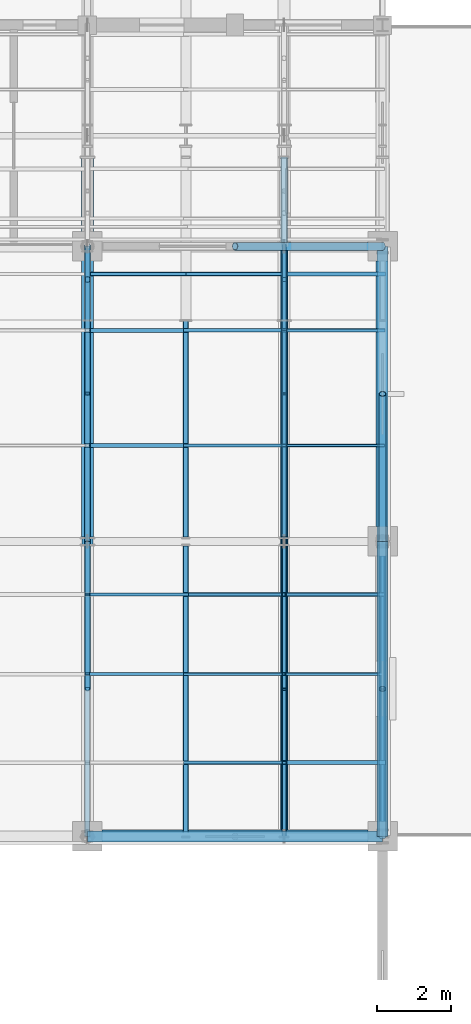
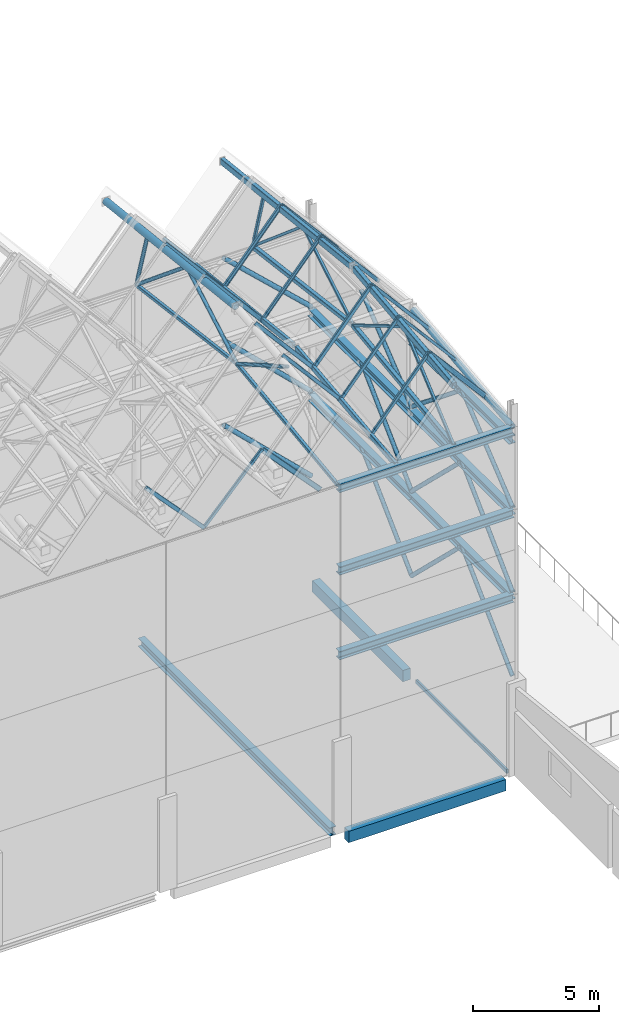
# One storey, part 15 of 48: 42 members, 18 beams.
"""IFC4 building model written with IfcOpenShell, lengths in metres."""

from ifc_helpers import new_model, si_unit, direction, frame, origin, origin_2d, place, context, subcontext, project, spatial, rectangle, hollow_rectangle, hollow_circle, i_section, extrude, material, material_profile, profile_set, type_object, element, save


model = new_model("IFC4")

# Units and contexts
model_context = context("Model", 3, precision=1e-05, world=origin(), true_north=direction((0.0, 1.0)))
body_context = subcontext(model_context, "Body", "Model", "MODEL_VIEW")
ifc_project = project(units=[si_unit("LENGTHUNIT", "METRE"), si_unit("AREAUNIT", "SQUARE_METRE"), si_unit("VOLUMEUNIT", "CUBIC_METRE"), si_unit("PLANEANGLEUNIT", "RADIAN"), si_unit("MASSUNIT", "GRAM", prefix="KILO")], contexts=[model_context])

# Site, building, storey
site_placement = place(None, origin())
site = spatial("IfcSite", under=ifc_project, at=site_placement, CompositionType="ELEMENT")
building_placement = place(site_placement, origin())
building = spatial("IfcBuilding", under=site, at=building_placement, Name="Luwemba Playhouse", CompositionType="ELEMENT")
storey_placement = place(building_placement, frame((0.0, 0.0, 13.800048828125)))
storey = spatial("IfcBuildingStorey", under=building, at=storey_placement, Name="L03", CompositionType="ELEMENT", Elevation=13.800048828125)

# Beams
ifc_material_1 = material(Name="Steel S355", Category="steel")
ifc_material_profile_1 = material_profile(ifc_material_1, hollow_rectangle(XDim=0.14990234375, YDim=0.25, WallThickness=0.010009765625, InnerFilletRadius=0.014892578125, OuterFilletRadius=0.02490234375, at=origin_2d()))
ifc_profile_set_1 = profile_set([ifc_material_profile_1], Name="Steel S355")
beam_type_1 = type_object("IfcBeamType", Name="BM-RTG1", PredefinedType="USERDEFINED", material=ifc_profile_set_1)
beam_1_placement = place(storey_placement, frame((38.666748046875, 68.0, 16.637939453125), z_axis=(0.0, 0.993767688729, 0.111470986529), x_axis=(-1.0, 0.0, 0.0)))
element("IfcBeam", 1, at=beam_1_placement, inside=storey, type_object=beam_type_1, Name="ROOF TRUSS valley girder 0075", ObjectType="ROOF TRUSS", PredefinedType="USERDEFINED", context=body_context, shape_type="SweptSolid", body=[
    extrude(hollow_rectangle(XDim=0.14990234375, YDim=0.25, WallThickness=0.010009765625, InnerFilletRadius=0.014892578125, OuterFilletRadius=0.02490234375, at=origin_2d()), origin(), (0.0, 0.0, 1.0), 7.939453125),
])
beam_2_placement = place(storey_placement, frame((38.666748046875, 76.110107421875, 17.52294921875), z_axis=(0.0, 0.993769338701, -0.111456275987), x_axis=(-1.0, 0.0, 0.0)))
element("IfcBeam", 2, at=beam_2_placement, inside=storey, type_object=beam_type_1, Name="ROOF TRUSS valley girder 0076", ObjectType="ROOF TRUSS", PredefinedType="USERDEFINED", context=body_context, shape_type="SweptSolid", body=[
    extrude(hollow_rectangle(XDim=0.14990234375, YDim=0.25, WallThickness=0.010009765625, InnerFilletRadius=0.014892578125, OuterFilletRadius=0.02490234375, at=origin_2d()), origin(), (0.0, 0.0, 1.0), 10.354248046875),
])
ifc_material_profile_2 = material_profile(ifc_material_1, hollow_rectangle(XDim=0.199951171875, YDim=0.300048828125, WallThickness=0.012451171875, InnerFilletRadius=0.018798828125, OuterFilletRadius=0.03125, at=origin_2d()))
ifc_profile_set_2 = profile_set([ifc_material_profile_2], Name="Steel S355")
beam_type_2 = type_object("IfcBeamType", Name="BM-RTG2", PredefinedType="USERDEFINED", material=ifc_profile_set_2)
beam_3_placement = place(storey_placement, frame((41.333251953125, 68.0, 19.54296875), z_axis=(0.0, 0.993771094715, 0.111440617856), x_axis=(-1.0, 0.0, 0.0)))
element("IfcBeam", 3, at=beam_3_placement, inside=storey, type_object=beam_type_2, Name="ROOF TRUSS ridge girder 0077", ObjectType="ROOF TRUSS", PredefinedType="USERDEFINED", context=body_context, shape_type="SweptSolid", body=[
    extrude(hollow_rectangle(XDim=0.199951171875, YDim=0.300048828125, WallThickness=0.012451171875, InnerFilletRadius=0.018798828125, OuterFilletRadius=0.03125, at=origin_2d()), origin(), (0.0, 0.0, 1.0), 7.939453125),
])
beam_4_placement = place(storey_placement, frame((41.333251953125, 76.110107421875, 20.427734375), z_axis=(0.0, 0.993769338701, -0.111456275987), x_axis=(-1.0, 0.0, 0.0)))
element("IfcBeam", 4, at=beam_4_placement, inside=storey, type_object=beam_type_2, Name="ROOF TRUSS ridge girder 0078", ObjectType="ROOF TRUSS", PredefinedType="USERDEFINED", context=body_context, shape_type="SweptSolid", body=[
    extrude(hollow_rectangle(XDim=0.199951171875, YDim=0.300048828125, WallThickness=0.012451171875, InnerFilletRadius=0.018798828125, OuterFilletRadius=0.03125, at=origin_2d()), origin(), (0.0, 0.0, 1.0), 10.354248046875),
])
ifc_material_profile_3 = material_profile(ifc_material_1, hollow_circle(Radius=0.136474609375, WallThickness=0.012451171875, at=origin_2d()))
ifc_profile_set_3 = profile_set([ifc_material_profile_3], Name="Steel S355")
beam_type_3 = type_object("IfcBeamType", Name="BM-RTG3", PredefinedType="USERDEFINED", material=ifc_profile_set_3)
beam_5_placement = place(storey_placement, frame((44.0, 68.0, 16.62646484375), z_axis=(0.0, 0.993767688729, 0.111470986529), x_axis=(-1.0, 0.0, 0.0)))
element("IfcBeam", 5, at=beam_5_placement, inside=storey, type_object=beam_type_3, Name="ROOF TRUSS valley girder 0079", ObjectType="ROOF TRUSS", PredefinedType="USERDEFINED", context=body_context, shape_type="SweptSolid", body=[
    extrude(hollow_circle(Radius=0.136474609375, WallThickness=0.012451171875, at=origin_2d()), origin(), (0.0, 0.0, 1.0), 7.939453125),
])
ifc_material_profile_4 = material_profile(ifc_material_1, hollow_circle(Radius=0.161865234375, WallThickness=0.01611328125, at=origin_2d()))
ifc_profile_set_4 = profile_set([ifc_material_profile_4], Name="Steel S355")
beam_type_4 = type_object("IfcBeamType", Name="BM-RTG4", PredefinedType="USERDEFINED", material=ifc_profile_set_4)
beam_6_placement = place(storey_placement, frame((36.0, 76.110107421875, 20.34375), z_axis=(0.0, 0.993769338701, -0.111456275987), x_axis=(-1.0, 0.0, 0.0)))
element("IfcBeam", 6, at=beam_6_placement, inside=storey, type_object=beam_type_4, Name="ROOF TRUSS ridge girder 0074", ObjectType="ROOF TRUSS", PredefinedType="USERDEFINED", context=body_context, shape_type="SweptSolid", body=[
    extrude(hollow_circle(Radius=0.161865234375, WallThickness=0.01611328125, at=origin_2d()), origin(), (0.0, 0.0, 1.0), 10.354248046875),
])
ifc_material_profile_5 = material_profile(ifc_material_1, i_section(OverallWidth=0.300048828125, OverallDepth=0.360107421875, WebThickness=0.012451171875, FlangeThickness=0.0224609375, FilletRadius=0.027099609375, at=origin_2d()))
ifc_profile_set_5 = profile_set([ifc_material_profile_5], Name="Steel S355")
beam_type_5 = type_object("IfcBeamType", Name="BM-SB09", PredefinedType="BEAM", material=ifc_profile_set_5)
for number, where, z_axis, x_axis, name in (
    (7, (44.0, 68.0, 8.419921875), (0.0, 1.0, 0.0), (-1.0, 0.0, 0.0), "Fly tower side ring beam 011"),
    (8, (44.0, 76.0, 8.419921875), (0.0, 1.0, 0.0), (-1.0, 0.0, 0.0), "Fly tower side ring beam 012"),
    (9, (44.0, 68.0, 12.52001953125), (0.0, 1.0, 0.0), (-1.0, 0.0, 0.0), "Fly tower side ring beam 023"),
    (10, (44.0, 76.0, 12.52001953125), (0.0, 1.0, 0.0), (-1.0, 0.0, 0.0), "Fly tower side ring beam 024"),
    (11, (44.0, 68.0, 15.97998046875), (0.0, 1.0, 0.0), (-1.0, 0.0, 0.0), "Fly tower side ring beam 035"),
):
    element("IfcBeam", number, at=place(storey_placement, frame(where, z_axis=z_axis, x_axis=x_axis)), inside=storey, type_object=beam_type_5, Name=name, PredefinedType="BEAM", context=body_context, shape_type="SweptSolid", body=[
        extrude(i_section(OverallWidth=0.300048828125, OverallDepth=0.360107421875, WebThickness=0.012451171875, FlangeThickness=0.0224609375, FilletRadius=0.027099609375, at=origin_2d()), origin(), (0.0, 0.0, 1.0), 8.0),
    ])
ifc_material_profile_6 = material_profile(ifc_material_1, i_section(OverallWidth=0.300048828125, OverallDepth=0.39990234375, WebThickness=0.013427734375, FlangeThickness=0.02392578125, FilletRadius=0.027099609375, at=origin_2d()))
ifc_profile_set_6 = profile_set([ifc_material_profile_6], Name="Steel S355")
beam_type_6 = type_object("IfcBeamType", Name="BM-SB10", PredefinedType="BEAM", material=ifc_profile_set_6)
beam_7_placement = place(storey_placement, frame((36.0, 68.39990234375, -0.429931640625), z_axis=(0.0, 1.0, 0.0), x_axis=(-1.0, 0.0, 0.0)))
element("IfcBeam", 12, at=beam_7_placement, inside=storey, type_object=beam_type_6, Name="L03 transverse girder 0853", PredefinedType="BEAM", context=body_context, shape_type="SweptSolid", body=[
    extrude(i_section(OverallWidth=0.300048828125, OverallDepth=0.39990234375, WebThickness=0.013427734375, FlangeThickness=0.02392578125, FilletRadius=0.027099609375, at=origin_2d()), origin(), (0.0, 0.0, 1.0), 15.2001953125),
])
for number, where, z_axis, x_axis, name in (
    (13, (36.0, 68.0, 8.39990234375), (1.0, 0.0, 0.0), (0.0, 1.0, 0.0), "Fly tower ring beam 004"),
    (14, (36.0, 68.0, 12.5), (1.0, 0.0, 0.0), (0.0, 1.0, 0.0), "Fly tower ring beam 016"),
    (15, (36.0, 68.0, 16.5), (1.0, 0.0, 0.0), (0.0, 1.0, 0.0), "Fly tower ring beam 028"),
):
    element("IfcBeam", number, at=place(storey_placement, frame(where, z_axis=z_axis, x_axis=x_axis)), inside=storey, type_object=beam_type_6, Name=name, PredefinedType="BEAM", context=body_context, shape_type="SweptSolid", body=[
        extrude(i_section(OverallWidth=0.300048828125, OverallDepth=0.39990234375, WebThickness=0.013427734375, FlangeThickness=0.02392578125, FilletRadius=0.027099609375, at=origin_2d()), origin(), (0.0, 0.0, 1.0), 8.0),
    ])
ifc_material_2 = material(Name="Concrete C40/50", Category="concrete")
ifc_material_profile_7 = material_profile(ifc_material_2, rectangle(XDim=0.35009765625, YDim=0.550048828125, at=origin_2d()))
ifc_profile_set_7 = profile_set([ifc_material_profile_7], Name="Concrete C40/50")
beam_type_7 = type_object("IfcBeamType", Name="BM-SP2", PredefinedType="SPANDREL", material=ifc_profile_set_7)
for number, where, z_axis, x_axis, name in (
    (16, (36.39990234375, 68.0, -0.505126953125), (1.0, 0.0, 0.0), (0.0, 1.0, 0.0), "L03 grid girder 0833"),
    (17, (44.0, 76.39990234375, -0.505126953125), (0.0, 1.0, 0.0), (-1.0, 0.0, 0.0), "L03 transverse girder 0856"),
):
    element("IfcBeam", number, at=place(storey_placement, frame(where, z_axis=z_axis, x_axis=x_axis)), inside=storey, type_object=beam_type_7, Name=name, PredefinedType="SPANDREL", context=body_context, shape_type="SweptSolid", body=[
        extrude(rectangle(XDim=0.35009765625, YDim=0.550048828125, at=origin_2d()), origin(), (0.0, 0.0, 1.0), 7.2001953125),
    ])
ifc_material_profile_8 = material_profile(ifc_material_1, hollow_rectangle(XDim=0.10009765625, YDim=0.199951171875, WallThickness=0.008056640625, InnerFilletRadius=0.011962890625, OuterFilletRadius=0.02001953125, at=origin_2d()))
ifc_profile_set_8 = profile_set([ifc_material_profile_8], Name="Steel S355")
beam_type_8 = type_object("IfcBeamType", Name="BM-SSP2", PredefinedType="SPANDREL", material=ifc_profile_set_8)
beam_8_placement = place(storey_placement, frame((44.0, 68.39990234375, -0.330078125), z_axis=(0.0, 1.0, 0.0), x_axis=(-1.0, 0.0, 0.0)))
element("IfcBeam", 18, at=beam_8_placement, inside=storey, type_object=beam_type_8, Name="L03 transverse girder 0855", PredefinedType="SPANDREL", context=body_context, shape_type="SweptSolid", body=[
    extrude(hollow_rectangle(XDim=0.10009765625, YDim=0.199951171875, WallThickness=0.008056640625, InnerFilletRadius=0.011962890625, OuterFilletRadius=0.02001953125, at=origin_2d()), origin(), (0.0, 0.0, 1.0), 7.2001953125),
])

# Members
ifc_material_profile_9 = material_profile(ifc_material_1, hollow_circle(Radius=0.084228515625, WallThickness=0.008056640625, at=origin_2d()))
ifc_profile_set_9 = profile_set([ifc_material_profile_9], Name="Steel S355")
member_type_1 = type_object("IfcMemberType", Name="MEM-MB02", PredefinedType="BRACE", material=ifc_profile_set_9)
for number, where, z_axis, x_axis, name in (
    (19, (36.0, 76.0, 17.6171875), (0.0, -0.86781582285, 0.49688600062), (1.0, 0.0, 0.0), "ROOF TRUSS web diagonal 0070"),
    (20, (36.0, 76.0, 17.6171875), (0.0, 0.86781582285, 0.49688600062), (-1.0, 0.0, 0.0), "ROOF TRUSS web diagonal 0071"),
):
    element("IfcMember", number, at=place(storey_placement, frame(where, z_axis=z_axis, x_axis=x_axis)), inside=storey, type_object=member_type_1, Name=name, PredefinedType="BRACE", context=body_context, shape_type="SweptSolid", body=[
        extrude(hollow_circle(Radius=0.084228515625, WallThickness=0.008056640625, at=origin_2d()), origin(), (0.0, 0.0, 1.0), 4.609375),
    ])
member_1_placement = place(storey_placement, frame((36.0, 84.0, 16.599853515625), z_axis=(0.0, -0.770652379967, 0.637255764392), x_axis=(1.0, 0.0, 0.0)))
element("IfcMember", 21, at=member_1_placement, inside=storey, type_object=member_type_1, Name="ROOF TRUSS web diagonal 0072", PredefinedType="BRACE", context=body_context, shape_type="SweptSolid", body=[
    extrude(hollow_circle(Radius=0.084228515625, WallThickness=0.008056640625, at=origin_2d()), origin(), (0.0, 0.0, 1.0), 5.1904296875),
])
member_2_placement = place(storey_placement, frame((36.0, 84.0, 16.599853515625), z_axis=(0.0, -0.29087898527, 0.956759852799), x_axis=(1.0, 0.0, 0.0)))
element("IfcMember", 22, at=member_2_placement, inside=storey, type_object=member_type_1, Name="ROOF TRUSS eave knee strut 0012", PredefinedType="BRACE", context=body_context, shape_type="SweptSolid", body=[
    extrude(hollow_circle(Radius=0.084228515625, WallThickness=0.008056640625, at=origin_2d()), origin(), (0.0, 0.0, 1.0), 3.09375),
])
ifc_material_profile_10 = material_profile(ifc_material_1, hollow_circle(Radius=0.096923828125, WallThickness=0.010009765625, at=origin_2d()))
ifc_profile_set_10 = profile_set([ifc_material_profile_10], Name="Steel S355")
member_type_2 = type_object("IfcMemberType", Name="MEM-MB03", PredefinedType="BRACE", material=ifc_profile_set_10)
for number, where, z_axis, x_axis, name in (
    (23, (44.0, 68.0, 4.550048828125), (0.0, 0.718700426469, 0.695319852293), (-1.0, 0.0, 0.0), "Fly tower side brace 013"),
    (24, (44.0, 76.0, 4.550048828125), (0.0, -0.718700426469, 0.695319852293), (1.0, 0.0, 0.0), "Fly tower side brace 014"),
    (25, (44.0, 76.0, 4.550048828125), (0.0, 0.718700426469, 0.695319852293), (-1.0, 0.0, 0.0), "Fly tower side brace 015"),
    (26, (44.0, 68.0, 8.64990234375), (0.0, 0.718678505774, 0.695342509371), (-1.0, 0.0, 0.0), "Fly tower side brace 029"),
    (27, (44.0, 76.0, 8.64990234375), (0.0, -0.718678505774, 0.695342509371), (1.0, 0.0, 0.0), "Fly tower side brace 030"),
    (28, (44.0, 76.0, 8.64990234375), (0.0, 0.718678505774, 0.695342509371), (-1.0, 0.0, 0.0), "Fly tower side brace 031"),
):
    element("IfcMember", number, at=place(storey_placement, frame(where, z_axis=z_axis, x_axis=x_axis)), inside=storey, type_object=member_type_2, Name=name, PredefinedType="BRACE", context=body_context, shape_type="SweptSolid", body=[
        extrude(hollow_circle(Radius=0.096923828125, WallThickness=0.010009765625, at=origin_2d()), origin(), (0.0, 0.0, 1.0), 5.565673828125),
    ])
for number, where, z_axis, x_axis, name in (
    (29, (44.0, 68.0, 12.75), (0.0, 0.778016166517, 0.628244255555), (-1.0, 0.0, 0.0), "Fly tower side brace 045"),
    (30, (44.0, 76.0, 12.75), (0.0, -0.778016166517, 0.628244255555), (1.0, 0.0, 0.0), "Fly tower side brace 046"),
    (31, (44.0, 76.0, 12.75), (0.0, 0.778016166517, 0.628244255555), (-1.0, 0.0, 0.0), "Fly tower side brace 047"),
):
    element("IfcMember", number, at=place(storey_placement, frame(where, z_axis=z_axis, x_axis=x_axis)), inside=storey, type_object=member_type_2, Name=name, PredefinedType="BRACE", context=body_context, shape_type="SweptSolid", body=[
        extrude(hollow_circle(Radius=0.096923828125, WallThickness=0.010009765625, at=origin_2d()), origin(), (0.0, 0.0, 1.0), 5.141357421875),
    ])
ifc_material_profile_11 = material_profile(ifc_material_1, hollow_circle(Radius=0.109619140625, WallThickness=0.012451171875, at=origin_2d()))
ifc_profile_set_11 = profile_set([ifc_material_profile_11], Name="Steel S355")
member_type_3 = type_object("IfcMemberType", Name="MEM-MB04", PredefinedType="BRACE", material=ifc_profile_set_11)
for number, where, z_axis, x_axis, name in (
    (32, (44.0, 84.0, 4.550048828125), (-0.720500036349, 0.0, 0.693454899486), (0.0, -1.0, 0.0), "Fly tower lateral brace 008"),
    (33, (44.0, 84.0, 8.64990234375), (-0.720478064824, 0.0, 0.693477727189), (0.0, -1.0, 0.0), "Fly tower lateral brace 024"),
):
    element("IfcMember", number, at=place(storey_placement, frame(where, z_axis=z_axis, x_axis=x_axis)), inside=storey, type_object=member_type_3, Name=name, PredefinedType="BRACE", context=body_context, shape_type="SweptSolid", body=[
        extrude(hollow_circle(Radius=0.109619140625, WallThickness=0.012451171875, at=origin_2d()), origin(), (0.0, 0.0, 1.0), 5.5517578125),
    ])
member_3_placement = place(storey_placement, frame((44.0, 84.0, 12.75), z_axis=(-0.72953720414, 0.0, 0.683941128881), x_axis=(0.0, -1.0, 0.0)))
element("IfcMember", 34, at=member_3_placement, inside=storey, type_object=member_type_3, Name="Fly tower lateral brace 040", PredefinedType="BRACE", context=body_context, shape_type="SweptSolid", body=[
    extrude(hollow_circle(Radius=0.109619140625, WallThickness=0.012451171875, at=origin_2d()), origin(), (0.0, 0.0, 1.0), 5.48291015625),
])
ifc_material_profile_12 = material_profile(ifc_material_1, hollow_rectangle(XDim=0.1201171875, YDim=0.1201171875, WallThickness=0.008056640625, InnerFilletRadius=0.011962890625, OuterFilletRadius=0.02001953125, at=origin_2d()))
ifc_profile_set_12 = profile_set([ifc_material_profile_12], Name="Steel S355")
member_type_4 = type_object("IfcMemberType", Name="MEM-MB06", PredefinedType="BRACE", material=ifc_profile_set_12)
member_4_placement = place(storey_placement, frame((41.333251953125, 68.0, 16.599853515625), z_axis=(0.0, 0.762729007744, 0.646718223607), x_axis=(-1.0, 0.0, 0.0)))
element("IfcMember", 35, at=member_4_placement, inside=storey, type_object=member_type_4, Name="ROOF TRUSS web diagonal 0075", PredefinedType="BRACE", context=body_context, shape_type="SweptSolid", body=[
    extrude(hollow_rectangle(XDim=0.1201171875, YDim=0.1201171875, WallThickness=0.008056640625, InnerFilletRadius=0.011962890625, OuterFilletRadius=0.02001953125, at=origin_2d()), origin(), (0.0, 0.0, 1.0), 5.244384765625),
])
for number, where, z_axis, x_axis, name in (
    (36, (41.333251953125, 76.0, 17.6171875), (0.0, -0.859923857773, 0.510422333792), (1.0, 0.0, 0.0), "ROOF TRUSS web diagonal 0076"),
    (37, (41.333251953125, 76.0, 17.6171875), (0.0, 0.859923857773, 0.510422333792), (-1.0, 0.0, 0.0), "ROOF TRUSS web diagonal 0077"),
):
    element("IfcMember", number, at=place(storey_placement, frame(where, z_axis=z_axis, x_axis=x_axis)), inside=storey, type_object=member_type_4, Name=name, PredefinedType="BRACE", context=body_context, shape_type="SweptSolid", body=[
        extrude(hollow_rectangle(XDim=0.1201171875, YDim=0.1201171875, WallThickness=0.008056640625, InnerFilletRadius=0.011962890625, OuterFilletRadius=0.02001953125, at=origin_2d()), origin(), (0.0, 0.0, 1.0), 4.651611328125),
    ])
member_5_placement = place(storey_placement, frame((41.333251953125, 84.0, 16.599853515625), z_axis=(0.0, -0.762729007744, 0.646718223607), x_axis=(1.0, 0.0, 0.0)))
element("IfcMember", 38, at=member_5_placement, inside=storey, type_object=member_type_4, Name="ROOF TRUSS web diagonal 0078", PredefinedType="BRACE", context=body_context, shape_type="SweptSolid", body=[
    extrude(hollow_rectangle(XDim=0.1201171875, YDim=0.1201171875, WallThickness=0.008056640625, InnerFilletRadius=0.011962890625, OuterFilletRadius=0.02001953125, at=origin_2d()), origin(), (0.0, 0.0, 1.0), 5.244384765625),
])
member_6_placement = place(storey_placement, frame((41.333251953125, 84.0, 16.599853515625), z_axis=(0.0, -0.283506908472, 0.958970193931), x_axis=(1.0, 0.0, 0.0)))
element("IfcMember", 39, at=member_6_placement, inside=storey, type_object=member_type_4, Name="ROOF TRUSS eave knee strut 0013", PredefinedType="BRACE", context=body_context, shape_type="SweptSolid", body=[
    extrude(hollow_rectangle(XDim=0.1201171875, YDim=0.1201171875, WallThickness=0.008056640625, InnerFilletRadius=0.011962890625, OuterFilletRadius=0.02001953125, at=origin_2d()), origin(), (0.0, 0.0, 1.0), 3.174072265625),
])
ifc_material_profile_13 = material_profile(ifc_material_1, hollow_rectangle(XDim=0.14990234375, YDim=0.14990234375, WallThickness=0.010009765625, InnerFilletRadius=0.014892578125, OuterFilletRadius=0.02490234375, at=origin_2d()))
ifc_profile_set_13 = profile_set([ifc_material_profile_13], Name="Steel S355")
member_type_5 = type_object("IfcMemberType", Name="MEM-MC02", PredefinedType="CHORD", material=ifc_profile_set_13)
for number, where, z_axis, x_axis, name in (
    (40, (36.0, 68.0, 16.599853515625), (0.0, 0.99201107355, 0.12615082225), (-1.0, 0.0, 0.0), "ROOF TRUSS south bottom chord 0067"),
    (41, (36.0, 76.0, 17.6171875), (0.0, 0.99201107355, -0.12615082225), (-1.0, 0.0, 0.0), "ROOF TRUSS north bottom chord 0068"),
):
    element("IfcMember", number, at=place(storey_placement, frame(where, z_axis=z_axis, x_axis=x_axis)), inside=storey, type_object=member_type_5, Name=name, PredefinedType="CHORD", context=body_context, shape_type="SweptSolid", body=[
        extrude(hollow_rectangle(XDim=0.14990234375, YDim=0.14990234375, WallThickness=0.010009765625, InnerFilletRadius=0.014892578125, OuterFilletRadius=0.02490234375, at=origin_2d()), origin(), (0.0, 0.0, 1.0), 8.064453125),
    ])
ifc_material_profile_14 = material_profile(ifc_material_1, hollow_rectangle(XDim=0.199951171875, YDim=0.199951171875, WallThickness=0.012451171875, InnerFilletRadius=0.018798828125, OuterFilletRadius=0.03125, at=origin_2d()))
ifc_profile_set_14 = profile_set([ifc_material_profile_14], Name="Steel S355")
member_type_6 = type_object("IfcMemberType", Name="MEM-MC04", PredefinedType="CHORD", material=ifc_profile_set_14)
for number, where, z_axis, x_axis, name in (
    (42, (41.333251953125, 68.0, 16.599853515625), (0.0, 0.99201107355, 0.12615082225), (-1.0, 0.0, 0.0), "ROOF TRUSS south bottom chord 0073"),
    (43, (41.333251953125, 76.0, 17.6171875), (0.0, 0.99201107355, -0.12615082225), (-1.0, 0.0, 0.0), "ROOF TRUSS north bottom chord 0074"),
):
    element("IfcMember", number, at=place(storey_placement, frame(where, z_axis=z_axis, x_axis=x_axis)), inside=storey, type_object=member_type_6, Name=name, PredefinedType="CHORD", context=body_context, shape_type="SweptSolid", body=[
        extrude(hollow_rectangle(XDim=0.199951171875, YDim=0.199951171875, WallThickness=0.012451171875, InnerFilletRadius=0.018798828125, OuterFilletRadius=0.03125, at=origin_2d()), origin(), (0.0, 0.0, 1.0), 8.064453125),
    ])
ifc_material_profile_15 = material_profile(ifc_material_1, hollow_rectangle(XDim=0.080078125, YDim=0.1201171875, WallThickness=0.00634765625, InnerFilletRadius=0.009521484375, OuterFilletRadius=0.015869140625, at=origin_2d()))
ifc_profile_set_15 = profile_set([ifc_material_profile_15], Name="Steel S355")
member_type_7 = type_object("IfcMemberType", Name="MEM-MP01", PredefinedType="PURLIN", material=ifc_profile_set_15)
member_7_placement = place(storey_placement, frame((41.333251953125, 72.39990234375, 20.2578125), z_axis=(0.651808038275, 0.0, -0.758383993265), x_axis=(0.0, 1.0, 0.0)))
element("IfcMember", 44, at=member_7_placement, inside=storey, type_object=member_type_7, Name="Pleated roof purlin 0152", PredefinedType="PURLIN", context=body_context, shape_type="SweptSolid", body=[
    extrude(hollow_rectangle(XDim=0.080078125, YDim=0.1201171875, WallThickness=0.00634765625, InnerFilletRadius=0.009521484375, OuterFilletRadius=0.015869140625, at=origin_2d()), origin(), (0.0, 0.0, 1.0), 4.09130859375),
])
ifc_material_profile_16 = material_profile(ifc_material_1, hollow_rectangle(XDim=0.10009765625, YDim=0.14990234375, WallThickness=0.008056640625, InnerFilletRadius=0.011962890625, OuterFilletRadius=0.02001953125, at=origin_2d()))
ifc_profile_set_16 = profile_set([ifc_material_profile_16], Name="Steel S355")
member_type_8 = type_object("IfcMemberType", Name="MEM-MP02", PredefinedType="PURLIN", material=ifc_profile_set_16)
member_8_placement = place(storey_placement, frame((38.666748046875, 70.0, 16.859130859375), z_axis=(0.651773715576, 0.0, 0.758413491233), x_axis=(0.0, 1.0, 0.0)))
element("IfcMember", 45, at=member_8_placement, inside=storey, type_object=member_type_8, Name="Pleated roof purlin 0145", PredefinedType="PURLIN", context=body_context, shape_type="SweptSolid", body=[
    extrude(hollow_rectangle(XDim=0.10009765625, YDim=0.14990234375, WallThickness=0.008056640625, InnerFilletRadius=0.011962890625, OuterFilletRadius=0.02001953125, at=origin_2d()), origin(), (0.0, 0.0, 1.0), 4.091064453125),
])
member_9_placement = place(storey_placement, frame((41.333251953125, 74.56005859375, 20.473388671875), z_axis=(0.651808038275, 0.0, -0.758383993265), x_axis=(0.0, 1.0, 0.0)))
element("IfcMember", 46, at=member_9_placement, inside=storey, type_object=member_type_8, Name="Pleated roof purlin 0153", PredefinedType="PURLIN", context=body_context, shape_type="SweptSolid", body=[
    extrude(hollow_rectangle(XDim=0.10009765625, YDim=0.14990234375, WallThickness=0.008056640625, InnerFilletRadius=0.011962890625, OuterFilletRadius=0.02001953125, at=origin_2d()), origin(), (0.0, 0.0, 1.0), 4.09130859375),
])
member_10_placement = place(storey_placement, frame((38.666748046875, 83.25, 4.3671875), z_axis=(0.68148191426, 0.0, 0.731834954437), x_axis=(0.0, 1.0, 0.0)))
element("IfcMember", 47, at=member_10_placement, inside=storey, type_object=member_type_8, Name="Pleated roof purlin 0265", PredefinedType="PURLIN", context=body_context, shape_type="SweptSolid", body=[
    extrude(hollow_rectangle(XDim=0.10009765625, YDim=0.14990234375, WallThickness=0.008056640625, InnerFilletRadius=0.011962890625, OuterFilletRadius=0.02001953125, at=origin_2d()), origin(), (0.0, 0.0, 1.0), 3.912841796875),
])
ifc_material_profile_17 = material_profile(ifc_material_1, hollow_rectangle(XDim=0.080078125, YDim=0.159912109375, WallThickness=0.00634765625, InnerFilletRadius=0.009521484375, OuterFilletRadius=0.015869140625, at=origin_2d()))
ifc_profile_set_17 = profile_set([ifc_material_profile_17], Name="Steel S355")
member_type_9 = type_object("IfcMemberType", Name="MEM-MP03", PredefinedType="PURLIN", material=ifc_profile_set_17)
member_11_placement = place(storey_placement, frame((38.666748046875, 72.39990234375, 17.135009765625), z_axis=(0.651803214757, 0.0, 0.758388138906), x_axis=(0.0, 1.0, 0.0)))
element("IfcMember", 48, at=member_11_placement, inside=storey, type_object=member_type_9, Name="Pleated roof purlin 0146", PredefinedType="PURLIN", context=body_context, shape_type="SweptSolid", body=[
    extrude(hollow_rectangle(XDim=0.080078125, YDim=0.159912109375, WallThickness=0.00634765625, InnerFilletRadius=0.009521484375, OuterFilletRadius=0.015869140625, at=origin_2d()), origin(), (0.0, 0.0, 1.0), 4.091064453125),
])
member_12_placement = place(storey_placement, frame((41.333251953125, 78.60009765625, 20.349853515625), z_axis=(0.651808038275, 0.0, -0.758383993265), x_axis=(0.0, 1.0, 0.0)))
element("IfcMember", 49, at=member_12_placement, inside=storey, type_object=member_type_9, Name="Pleated roof purlin 0154", PredefinedType="PURLIN", context=body_context, shape_type="SweptSolid", body=[
    extrude(hollow_rectangle(XDim=0.080078125, YDim=0.159912109375, WallThickness=0.00634765625, InnerFilletRadius=0.009521484375, OuterFilletRadius=0.015869140625, at=origin_2d()), origin(), (0.0, 0.0, 1.0), 4.09130859375),
])
ifc_material_profile_18 = material_profile(ifc_material_1, hollow_rectangle(XDim=0.10009765625, YDim=0.179931640625, WallThickness=0.008056640625, InnerFilletRadius=0.011962890625, OuterFilletRadius=0.02001953125, at=origin_2d()))
ifc_profile_set_18 = profile_set([ifc_material_profile_18], Name="Steel S355")
member_type_10 = type_object("IfcMemberType", Name="MEM-MP04", PredefinedType="PURLIN", material=ifc_profile_set_18)
for number, where, z_axis, x_axis, name in (
    (50, (38.666748046875, 74.56005859375, 17.355712890625), (0.651803214757, 0.0, 0.758388138906), (0.0, 1.0, 0.0), "Pleated roof purlin 0147"),
    (51, (41.333251953125, 81.719970703125, 19.978271484375), (0.651837536714, 0.0, -0.758358639253), (0.0, 1.0, 0.0), "Pleated roof purlin 0155"),
):
    element("IfcMember", number, at=place(storey_placement, frame(where, z_axis=z_axis, x_axis=x_axis)), inside=storey, type_object=member_type_10, Name=name, PredefinedType="PURLIN", context=body_context, shape_type="SweptSolid", body=[
        extrude(hollow_rectangle(XDim=0.10009765625, YDim=0.179931640625, WallThickness=0.008056640625, InnerFilletRadius=0.011962890625, OuterFilletRadius=0.02001953125, at=origin_2d()), origin(), (0.0, 0.0, 1.0), 4.091064453125),
    ])
member_13_placement = place(storey_placement, frame((36.0, 83.25, 7.2158203125), z_axis=(0.681515329976, 0.0, -0.731803836426), x_axis=(0.0, 1.0, 0.0)))
element("IfcMember", 52, at=member_13_placement, inside=storey, type_object=member_type_10, Name="Pleated roof purlin 0259", PredefinedType="PURLIN", context=body_context, shape_type="SweptSolid", body=[
    extrude(hollow_rectangle(XDim=0.10009765625, YDim=0.179931640625, WallThickness=0.008056640625, InnerFilletRadius=0.011962890625, OuterFilletRadius=0.02001953125, at=origin_2d()), origin(), (0.0, 0.0, 1.0), 3.9130859375),
])
ifc_material_profile_19 = material_profile(ifc_material_1, i_section(OverallWidth=0.08203125, OverallDepth=0.159912109375, WebThickness=0.0048828125, FlangeThickness=0.00732421875, FilletRadius=0.009033203125, at=origin_2d()))
ifc_profile_set_19 = profile_set([ifc_material_profile_19], Name="Steel S355")
member_type_11 = type_object("IfcMemberType", Name="MEM-MP05", PredefinedType="PURLIN", material=ifc_profile_set_19)
member_14_placement = place(storey_placement, frame((36.0, 72.39990234375, 20.236572265625), z_axis=(0.651808038275, 0.0, -0.758383993265), x_axis=(0.0, 1.0, 0.0)))
element("IfcMember", 53, at=member_14_placement, inside=storey, type_object=member_type_11, Name="Pleated roof purlin 0140", PredefinedType="PURLIN", context=body_context, shape_type="SweptSolid", body=[
    extrude(i_section(OverallWidth=0.08203125, OverallDepth=0.159912109375, WebThickness=0.0048828125, FlangeThickness=0.00732421875, FilletRadius=0.009033203125, at=origin_2d()), origin(), (0.0, 0.0, 1.0), 4.09130859375),
])
member_15_placement = place(storey_placement, frame((38.666748046875, 78.60009765625, 17.24609375), z_axis=(0.651803214757, 0.0, 0.758388138906), x_axis=(0.0, 1.0, 0.0)))
element("IfcMember", 54, at=member_15_placement, inside=storey, type_object=member_type_11, Name="Pleated roof purlin 0148", PredefinedType="PURLIN", context=body_context, shape_type="SweptSolid", body=[
    extrude(i_section(OverallWidth=0.08203125, OverallDepth=0.159912109375, WebThickness=0.0048828125, FlangeThickness=0.00732421875, FilletRadius=0.009033203125, at=origin_2d()), origin(), (0.0, 0.0, 1.0), 4.091064453125),
])
ifc_material_profile_20 = material_profile(ifc_material_1, i_section(OverallWidth=0.091064453125, OverallDepth=0.179931640625, WebThickness=0.00537109375, FlangeThickness=0.008056640625, FilletRadius=0.009033203125, at=origin_2d()))
ifc_profile_set_20 = profile_set([ifc_material_profile_20], Name="Steel S355")
member_type_12 = type_object("IfcMemberType", Name="MEM-MP06", PredefinedType="PURLIN", material=ifc_profile_set_20)
member_16_placement = place(storey_placement, frame((36.0, 74.56005859375, 20.463623046875), z_axis=(0.651808038275, 0.0, -0.758383993265), x_axis=(0.0, 1.0, 0.0)))
element("IfcMember", 55, at=member_16_placement, inside=storey, type_object=member_type_12, Name="Pleated roof purlin 0141", PredefinedType="PURLIN", context=body_context, shape_type="SweptSolid", body=[
    extrude(i_section(OverallWidth=0.091064453125, OverallDepth=0.179931640625, WebThickness=0.00537109375, FlangeThickness=0.008056640625, FilletRadius=0.009033203125, at=origin_2d()), origin(), (0.0, 0.0, 1.0), 4.09130859375),
])
member_17_placement = place(storey_placement, frame((38.666748046875, 81.719970703125, 16.880859375), z_axis=(0.651773715576, 0.0, 0.758413491233), x_axis=(0.0, 1.0, 0.0)))
element("IfcMember", 56, at=member_17_placement, inside=storey, type_object=member_type_12, Name="Pleated roof purlin 0149", PredefinedType="PURLIN", context=body_context, shape_type="SweptSolid", body=[
    extrude(i_section(OverallWidth=0.091064453125, OverallDepth=0.179931640625, WebThickness=0.00537109375, FlangeThickness=0.008056640625, FilletRadius=0.009033203125, at=origin_2d()), origin(), (0.0, 0.0, 1.0), 4.091064453125),
])
ifc_material_profile_21 = material_profile(ifc_material_1, i_section(OverallWidth=0.10009765625, OverallDepth=0.199951171875, WebThickness=0.005615234375, FlangeThickness=0.008544921875, FilletRadius=0.011962890625, at=origin_2d()))
ifc_profile_set_21 = profile_set([ifc_material_profile_21], Name="Steel S355")
member_type_13 = type_object("IfcMemberType", Name="MEM-MP07", PredefinedType="PURLIN", material=ifc_profile_set_21)
member_18_placement = place(storey_placement, frame((36.0, 78.60009765625, 20.318359375), z_axis=(0.651808038275, 0.0, -0.758383993265), x_axis=(0.0, 1.0, 0.0)))
element("IfcMember", 57, at=member_18_placement, inside=storey, type_object=member_type_13, Name="Pleated roof purlin 0142", PredefinedType="PURLIN", context=body_context, shape_type="SweptSolid", body=[
    extrude(i_section(OverallWidth=0.10009765625, OverallDepth=0.199951171875, WebThickness=0.005615234375, FlangeThickness=0.008544921875, FilletRadius=0.011962890625, at=origin_2d()), origin(), (0.0, 0.0, 1.0), 4.09130859375),
])
ifc_material_profile_22 = material_profile(ifc_material_1, i_section(OverallWidth=0.110107421875, OverallDepth=0.219970703125, WebThickness=0.005859375, FlangeThickness=0.00927734375, FilletRadius=0.011962890625, at=origin_2d()))
ifc_profile_set_22 = profile_set([ifc_material_profile_22], Name="Steel S355")
member_type_14 = type_object("IfcMemberType", Name="MEM-MP08", PredefinedType="PURLIN", material=ifc_profile_set_22)
member_19_placement = place(storey_placement, frame((36.0, 81.719970703125, 19.952392578125), z_axis=(0.651837536714, 0.0, -0.758358639253), x_axis=(0.0, 1.0, 0.0)))
element("IfcMember", 58, at=member_19_placement, inside=storey, type_object=member_type_14, Name="Pleated roof purlin 0143", PredefinedType="PURLIN", context=body_context, shape_type="SweptSolid", body=[
    extrude(i_section(OverallWidth=0.110107421875, OverallDepth=0.219970703125, WebThickness=0.005859375, FlangeThickness=0.00927734375, FilletRadius=0.011962890625, at=origin_2d()), origin(), (0.0, 0.0, 1.0), 4.091064453125),
])
member_20_placement = place(storey_placement, frame((41.333251953125, 70.0, 19.921142578125), z_axis=(0.651808038275, 0.0, -0.758383993265), x_axis=(0.0, 1.0, 0.0)))
element("IfcMember", 59, at=member_20_placement, inside=storey, type_object=member_type_14, Name="Pleated roof purlin 0151", PredefinedType="PURLIN", context=body_context, shape_type="SweptSolid", body=[
    extrude(i_section(OverallWidth=0.110107421875, OverallDepth=0.219970703125, WebThickness=0.005859375, FlangeThickness=0.00927734375, FilletRadius=0.011962890625, at=origin_2d()), origin(), (0.0, 0.0, 1.0), 4.09130859375),
])
member_21_placement = place(storey_placement, frame((41.333251953125, 83.25, 7.1904296875), z_axis=(0.681515329976, 0.0, -0.731803836426), x_axis=(0.0, 1.0, 0.0)))
element("IfcMember", 60, at=member_21_placement, inside=storey, type_object=member_type_14, Name="Pleated roof purlin 0271", PredefinedType="PURLIN", context=body_context, shape_type="SweptSolid", body=[
    extrude(i_section(OverallWidth=0.110107421875, OverallDepth=0.219970703125, WebThickness=0.005859375, FlangeThickness=0.00927734375, FilletRadius=0.011962890625, at=origin_2d()), origin(), (0.0, 0.0, 1.0), 3.9130859375),
])

save(model, "model.ifc")
